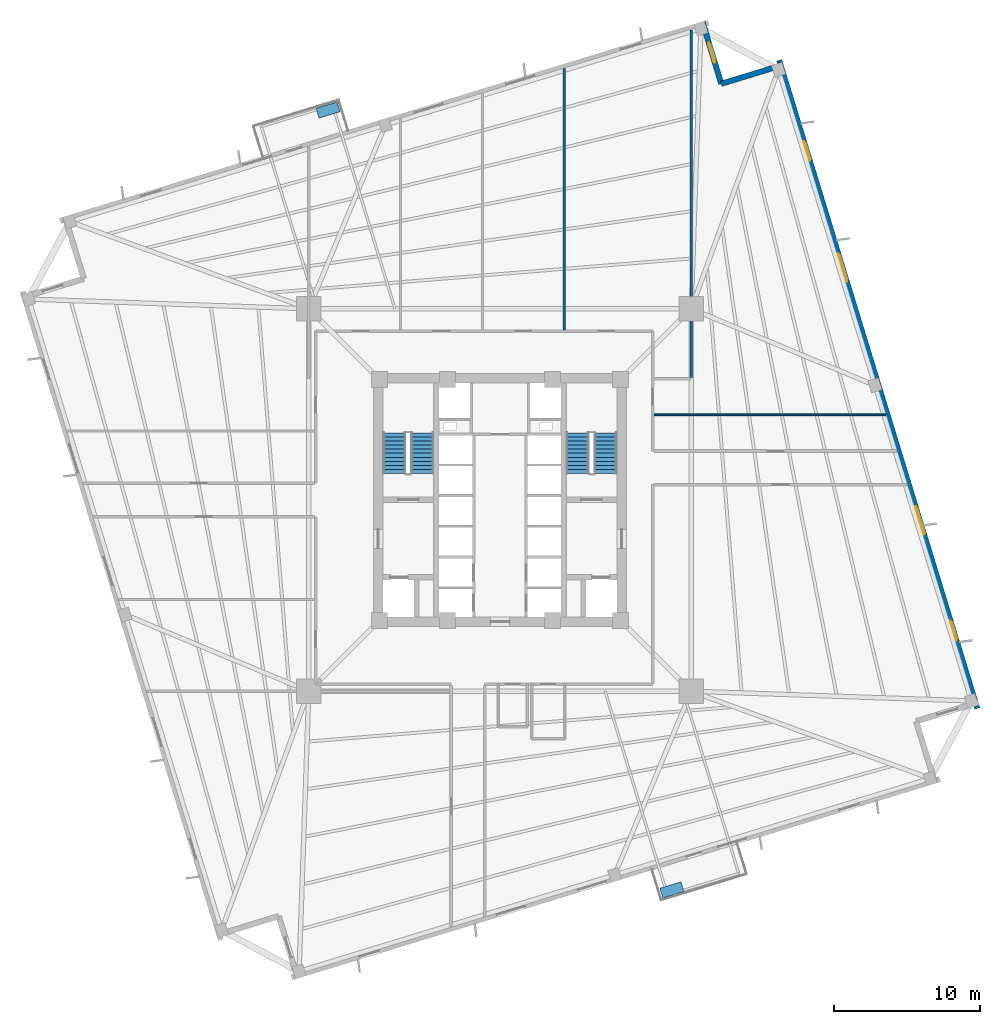
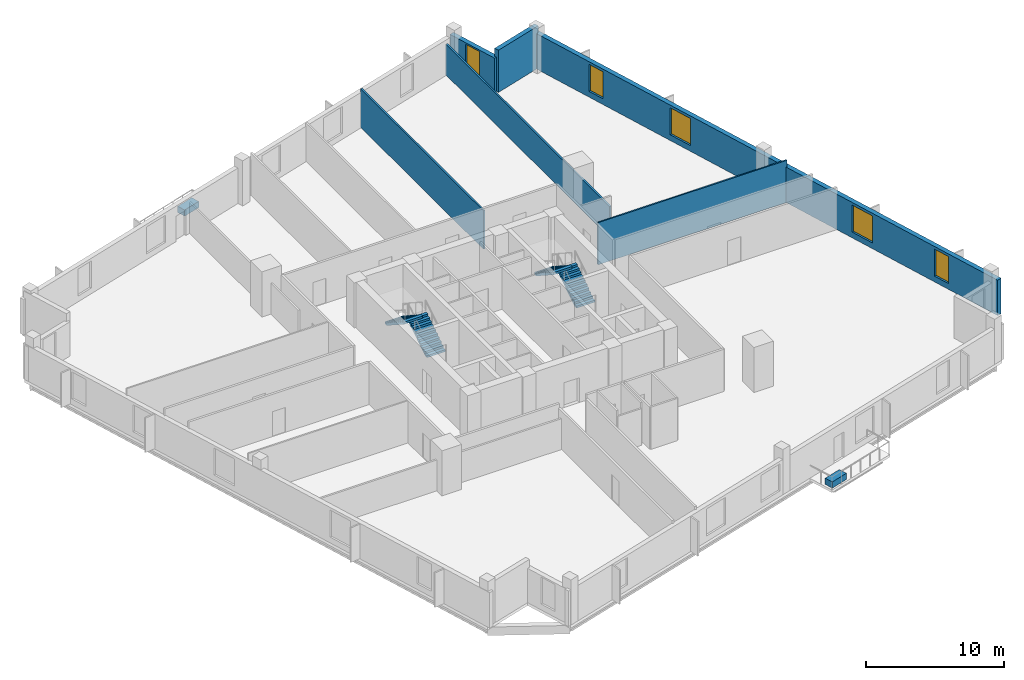
# One storey, part 5 of 8: 6 walls, 5 windows, 4 stair flights, 2 discrete accessories, 5 openings, 2 elements without a shape of their own.
"""IFC4 building model written with IfcOpenShell, lengths in metres."""

from ifc_helpers import new_model, si_unit, direction, frame, frame_2d, origin, origin_2d, place, context, subcontext, project, spatial, polyline, rectangle, outline, extrude, source, transform, mapped, material, layer, layer_set, type_object, element, fill, aggregate, save


model = new_model("IFC4")

# Units and contexts
model_context = context("Model", 3, precision=1e-05, world=origin(), true_north=direction((0.0, 1.0)))
body_context = subcontext(model_context, "Body", "Model", "MODEL_VIEW")
ifc_project = project(units=[si_unit("LENGTHUNIT", "METRE"), si_unit("AREAUNIT", "SQUARE_METRE"), si_unit("VOLUMEUNIT", "CUBIC_METRE"), si_unit("PLANEANGLEUNIT", "RADIAN"), si_unit("MASSUNIT", "GRAM", prefix="KILO"), si_unit("THERMODYNAMICTEMPERATUREUNIT", "KELVIN")], contexts=[model_context])

# Site, building, storey
site_placement = place(None, origin())
site = spatial("IfcSite", under=ifc_project, at=site_placement, CompositionType="ELEMENT")
building_placement = place(site_placement, origin())
building = spatial("IfcBuilding", under=site, at=building_placement, Name="Kosmvard Interchange Tower", CompositionType="ELEMENT")
storey_placement = place(building_placement, frame((0.0, 0.0, 87.199951171875)))
storey = spatial("IfcBuildingStorey", under=building, at=storey_placement, Name="L20", CompositionType="ELEMENT", Elevation=87.199951171875)

# Walls
ifc_material_1 = material(Name="Acoustic gypsum partition system")
ifc_layer_1 = layer(ifc_material_1, 0.14990234375, Name="Acoustic gypsum partition system")
ifc_layer_set_1 = layer_set([ifc_layer_1], Name="Acoustic gypsum partition system")
wall_type_1 = type_object("IfcWallType", Name="Acoustic Suite & Meeting Partition 150", PredefinedType="PARTITIONING", material=ifc_layer_set_1)
wall_1_placement = place(storey_placement, frame((4.39990234375, 11.64501953125, 0.0), z_axis=(0.0, 0.0, 1.0), x_axis=(0.0, 1.0, 0.0)))
element("IfcWall", 1, at=wall_1_placement, inside=storey, type_object=wall_type_1, Name="L20 Room Partition 05.1", PredefinedType="PARTITIONING", context=body_context, shape_type="SweptSolid", body=[
    extrude(rectangle(XDim=17.865966796875, YDim=0.14990234375, at=frame_2d((8.93310546875, 0.0))), origin(), (0.0, 0.0, 1.0), 3.41015625),
])
wall_2_placement = place(storey_placement, frame((13.0810546875, 8.375, 0.0), z_axis=(0.0, 0.0, 1.0), x_axis=(0.0, 1.0, 0.0)))
element("IfcWall", 2, at=wall_2_placement, inside=storey, type_object=wall_type_1, Name="L20 Room Partition 07.1", PredefinedType="PARTITIONING", context=body_context, shape_type="SweptSolid", body=[
    extrude(rectangle(XDim=23.7900390625, YDim=0.14990234375, at=frame_2d((11.89501953125, 0.0))), origin(), (0.0, 0.0, 1.0), 2.73193359375),
])

# Wall, openings, windows
ifc_material_2 = material(Name="Precast concrete C45/55", Category="concrete")
ifc_layer_2 = layer(ifc_material_2, 0.3798828125, Name="Precast concrete C45/55")
ifc_layer_set_2 = layer_set([ifc_layer_2], Name="Precast concrete C45/55")
wall_type_2 = type_object("IfcWallType", Name="Lower Tower Precast Pier Wall 380 C45/55", PredefinedType="STANDARD", material=ifc_layer_set_2)
wall_3_placement = place(storey_placement, frame((32.65771484375, -14.26513671875, 0.0), z_axis=(0.0, 0.0, 1.0), x_axis=(-0.292373127906, 0.956304320851, 0.0)))
wall_3 = element("IfcWall", 3, at=wall_3_placement, inside=storey, type_object=wall_type_2, Name="L20 Precast Facade Wall F-E", PredefinedType="STANDARD", context=body_context, shape_type="SweptSolid", body=[
    extrude(rectangle(XDim=46.380126953125, YDim=0.3798828125, at=frame_2d((23.18994140625, 0.0))), origin(), (0.0, 0.0, 1.0), 3.14013671875),
])
opening_1_placement = place(wall_3_placement, frame((4.865478515625, 0.0, 0.510009765625)))
opening_1 = element("IfcOpeningElement", 4, at=opening_1_placement, cuts=wall_3, Name="Opening L20-W06", PredefinedType="OPENING", context=body_context, shape_type="SweptSolid", body=[
    extrude(rectangle(XDim=1.39990234375, YDim=2.39990234375, at=frame_2d((0.699951171875, 1.199951171875))), frame((0.0, 0.199951171875, 0.0), z_axis=(0.0, -1.0, 0.0), x_axis=(1.0, 0.0, 0.0)), (0.0, 0.0, 1.0), 0.39990234375),
])
opening_2_placement = place(wall_3_placement, frame((12.4501953125, 0.0, 0.510009765625)))
opening_2 = element("IfcOpeningElement", 5, at=opening_2_placement, cuts=wall_3, Name="Opening L20-W07", PredefinedType="OPENING", context=body_context, shape_type="SweptSolid", body=[
    extrude(rectangle(XDim=2.0, YDim=2.39990234375, at=frame_2d((1.0, 1.199951171875))), frame((0.0, 0.199951171875, 0.0), z_axis=(0.0, -1.0, 0.0), x_axis=(1.0, 0.0, 0.0)), (0.0, 0.0, 1.0), 0.39990234375),
])
opening_3_placement = place(wall_3_placement, frame((30.538330078125, 0.0, 0.510009765625)))
opening_3 = element("IfcOpeningElement", 6, at=opening_3_placement, cuts=wall_3, Name="Opening L20-W08", PredefinedType="OPENING", context=body_context, shape_type="SweptSolid", body=[
    extrude(rectangle(XDim=2.0, YDim=2.39990234375, at=frame_2d((1.0, 1.199951171875))), frame((0.0, 0.199951171875, 0.0), z_axis=(0.0, -1.0, 0.0), x_axis=(1.0, 0.0, 0.0)), (0.0, 0.0, 1.0), 0.39990234375),
])
opening_4_placement = place(wall_3_placement, frame((39.186767578125, 0.0, 0.510009765625)))
opening_4 = element("IfcOpeningElement", 7, at=opening_4_placement, cuts=wall_3, Name="Opening L20-W09", PredefinedType="OPENING", context=body_context, shape_type="SweptSolid", body=[
    extrude(rectangle(XDim=1.39990234375, YDim=2.39990234375, at=frame_2d((0.699951171875, 1.199951171875))), frame((0.0, 0.199951171875, 0.0), z_axis=(0.0, -1.0, 0.0), x_axis=(1.0, 0.0, 0.0)), (0.0, 0.0, 1.0), 0.39990234375),
])
ifc_material_3 = material(Name="Low-E solar-control double glazing", Category="glass")
window_type_1 = type_object("IfcWindowType", Name="Notched Corner Feature Window 1400x2400", PartitioningType="SINGLE_PANEL", PredefinedType="WINDOW", material=ifc_material_3)
shared_shape_1 = source(origin(), body_context, "Body", "SweptSolid", [
    extrude(rectangle(XDim=1.39990234375, YDim=2.39990234375, at=frame_2d((0.699951171875, 1.199951171875))), frame((0.0, 0.030029296875, 0.0), z_axis=(0.0, -1.0, 0.0), x_axis=(1.0, 0.0, 0.0)), (0.0, 0.0, 1.0), 0.06005859375),
])
window_1_placement = place(opening_1_placement, origin())
window_1 = element("IfcWindow", 8, at=window_1_placement, inside=storey, type_object=window_type_1, Name="L20 Facade Punched Window 06", OverallHeight=2.39990234375, OverallWidth=1.39990234375, PartitioningType="SINGLE_PANEL", PredefinedType="WINDOW", context=body_context, shape_type="MappedRepresentation", body=[
    mapped(shared_shape_1, transform((0.0, 0.0, 0.0), scale=1.0)),
])
fill(opening_1, window_1)
window_2_placement = place(opening_4_placement, origin())
window_2 = element("IfcWindow", 9, at=window_2_placement, inside=storey, type_object=window_type_1, Name="L20 Facade Punched Window 09", OverallHeight=2.39990234375, OverallWidth=1.39990234375, PartitioningType="SINGLE_PANEL", PredefinedType="WINDOW", context=body_context, shape_type="MappedRepresentation", body=[
    mapped(shared_shape_1, transform((0.0, 0.0, 0.0), scale=1.0)),
])
fill(opening_4, window_2)
window_type_2 = type_object("IfcWindowType", Name="Zone 2 Office Punched Window 2000x2400", PartitioningType="SINGLE_PANEL", PredefinedType="WINDOW", material=ifc_material_3)
shared_shape_2 = source(origin(), body_context, "Body", "SweptSolid", [
    extrude(rectangle(XDim=2.0, YDim=2.39990234375, at=frame_2d((1.0, 1.199951171875))), frame((0.0, 0.030029296875, 0.0), z_axis=(0.0, -1.0, 0.0), x_axis=(1.0, 0.0, 0.0)), (0.0, 0.0, 1.0), 0.06005859375),
])
window_3_placement = place(opening_2_placement, origin())
window_3 = element("IfcWindow", 10, at=window_3_placement, inside=storey, type_object=window_type_2, Name="L20 Facade Punched Window 07", OverallHeight=2.39990234375, OverallWidth=2.0, PartitioningType="SINGLE_PANEL", PredefinedType="WINDOW", context=body_context, shape_type="MappedRepresentation", body=[
    mapped(shared_shape_2, transform((0.0, 0.0, 0.0), scale=1.0)),
])
fill(opening_2, window_3)
window_4_placement = place(opening_3_placement, origin())
window_4 = element("IfcWindow", 11, at=window_4_placement, inside=storey, type_object=window_type_2, Name="L20 Facade Punched Window 08", OverallHeight=2.39990234375, OverallWidth=2.0, PartitioningType="SINGLE_PANEL", PredefinedType="WINDOW", context=body_context, shape_type="MappedRepresentation", body=[
    mapped(shared_shape_2, transform((0.0, 0.0, 0.0), scale=1.0)),
])
fill(opening_3, window_4)

# Wall
wall_4_placement = place(storey_placement, frame((19.20849609375, 29.724853515625, 0.0), z_axis=(0.0, 0.0, 1.0), x_axis=(-0.956312764915, -0.292345507338, 0.0)))
element("IfcWall", 12, at=wall_4_placement, inside=storey, type_object=wall_type_2, Name="L20 Precast Facade Wall N-NE1", PredefinedType="STANDARD", context=body_context, shape_type="SweptSolid", body=[
    extrude(rectangle(XDim=4.249755859375, YDim=0.3798828125, at=frame_2d((2.125, 0.0))), origin(), (0.0, 0.0, 1.0), 3.739990234375),
])

# Wall, opening, window
wall_5_placement = place(storey_placement, frame((15.144287109375, 28.482421875, 0.0), z_axis=(0.0, 0.0, 1.0), x_axis=(-0.292373601522, 0.956304176051, 0.0)))
wall_5 = element("IfcWall", 13, at=wall_5_placement, inside=storey, type_object=wall_type_2, Name="L20 Precast Facade Wall N-NE2", PredefinedType="STANDARD", context=body_context, shape_type="SweptSolid", body=[
    extrude(rectangle(XDim=4.43994140625, YDim=0.3798828125, at=frame_2d((2.219970703125, 0.0))), origin(), (0.0, 0.0, 1.0), 3.0400390625),
])
opening_5_placement = place(wall_5_placement, frame((1.52001953125, 0.0, 0.510009765625)))
opening_5 = element("IfcOpeningElement", 14, at=opening_5_placement, cuts=wall_5, Name="Opening L20-W21", PredefinedType="OPENING", context=body_context, shape_type="SweptSolid", body=[
    extrude(rectangle(XDim=1.39990234375, YDim=2.39990234375, at=frame_2d((0.699951171875, 1.199951171875))), frame((0.0, 0.199951171875, 0.0), z_axis=(0.0, -1.0, 0.0), x_axis=(1.0, 0.0, 0.0)), (0.0, 0.0, 1.0), 0.39990234375),
])
window_5_placement = place(opening_5_placement, origin())
window_5 = element("IfcWindow", 15, at=window_5_placement, inside=storey, type_object=window_type_1, Name="L20 Corner Notch Window 21", OverallHeight=2.39990234375, OverallWidth=1.39990234375, PartitioningType="SINGLE_PANEL", PredefinedType="WINDOW", context=body_context, shape_type="MappedRepresentation", body=[
    mapped(shared_shape_1, transform((0.0, 0.0, 0.0), scale=1.0)),
])
fill(opening_5, window_5)

# Wall
ifc_material_4 = material(Name="Gypsum board partition system")
ifc_layer_3 = layer(ifc_material_4, 0.1201171875, Name="Gypsum board partition system")
ifc_layer_set_3 = layer_set([ifc_layer_3], Name="Gypsum board partition system")
wall_type_3 = type_object("IfcWallType", Name="Office Cellular Partition 120", PredefinedType="PARTITIONING", material=ifc_layer_set_3)
wall_6_placement = place(storey_placement, frame((10.544921875, 5.824951171875, 0.0), z_axis=(0.0, 0.0, 1.0), x_axis=(1.0, 0.0, 0.0)))
element("IfcWall", 16, at=wall_6_placement, inside=storey, type_object=wall_type_3, Name="L20 Room Partition 09.1", PredefinedType="PARTITIONING", context=body_context, shape_type="SweptSolid", body=[
    extrude(rectangle(XDim=15.83984375, YDim=0.1201171875, at=frame_2d((7.919921875, 0.0))), origin(), (0.0, 0.0, 1.0), 3.739990234375),
])

# Stair, stair flights
ifc_material_5 = material(Name="Concrete C50/60", Category="concrete")
stair_type = type_object("IfcStairType", Name="Dog-Leg Core Exit Stair H4000 C50/60", PredefinedType="HALF_TURN_STAIR", material=ifc_material_5)
stair_1_placement = place(storey_placement, origin())
stair_1 = element("IfcStair", 17, at=stair_1_placement, inside=storey, type_object=stair_type, Name="L20 Protected Exit Stair ST-1", PredefinedType="HALF_TURN_STAIR")
stair_flight_type = type_object("IfcStairFlightType", Name="Core Stair Flight W1550 H4000 C50/60", PredefinedType="STRAIGHT", material=ifc_material_5)
shared_shape_3 = source(origin(), body_context, "Body", "SweptSolid", [
    extrude(outline(polyline([(0.0, 0.0), (0.0, 0.181884765625), (0.280029296875, 0.181884765625), (0.280029296875, 0.363525390625), (0.56005859375, 0.363525390625), (0.56005859375, 0.54541015625), (0.840087890625, 0.54541015625), (0.840087890625, 0.727294921875), (1.1201171875, 0.727294921875), (1.1201171875, 0.9091796875), (1.39990234375, 0.9091796875), (1.39990234375, 1.0908203125), (1.679931640625, 1.0908203125), (1.679931640625, 1.272705078125), (1.9599609375, 1.272705078125), (1.9599609375, 1.45458984375), (2.239990234375, 1.45458984375), (2.239990234375, 1.636474609375), (2.52001953125, 1.636474609375), (2.52001953125, 1.818115234375), (2.800048828125, 1.818115234375), (2.800048828125, 2.0), (2.800048828125, 1.62744140625), (0.293701171875, 0.0), (0.0, 0.0)])), frame((0.0, 0.77490234375, 0.0), z_axis=(0.0, -1.0, 0.0), x_axis=(1.0, 0.0, 0.0)), (0.0, 0.0, 1.0), 1.550048828125),
])
stair_flight_1_placement = place(storey_placement, frame((-5.31494140625, 1.800048828125, 0.0), z_axis=(0.0, 0.0, 1.0), x_axis=(0.0, 1.0, 0.0)))
stair_flight_1 = element("IfcStairFlight", 18, at=stair_flight_1_placement, type_object=stair_flight_type, Name="ST-1 flight 1", NumberOfRisers=11, NumberOfTreads=10, PredefinedType="STRAIGHT", RiserHeight=0.181818182, TreadLength=0.28, context=body_context, shape_type="MappedRepresentation", body=[
    mapped(shared_shape_3, transform((0.0, 0.0, 0.0), scale=1.0)),
])
stair_flight_2_placement = place(storey_placement, frame((-7.22509765625, 4.60009765625, 2.0), z_axis=(0.0, 0.0, 1.0), x_axis=(0.0, -1.0, 0.0)))
stair_flight_2 = element("IfcStairFlight", 19, at=stair_flight_2_placement, type_object=stair_flight_type, Name="ST-1 flight 2", NumberOfRisers=11, NumberOfTreads=10, PredefinedType="STRAIGHT", RiserHeight=0.181818182, TreadLength=0.28, context=body_context, shape_type="MappedRepresentation", body=[
    mapped(shared_shape_3, transform((0.0, 0.0, 0.0), scale=1.0)),
])
aggregate(stair_1, [stair_flight_1, stair_flight_2])

stair_2_placement = place(storey_placement, origin())
stair_2 = element("IfcStair", 20, at=stair_2_placement, inside=storey, type_object=stair_type, Name="L20 Protected Exit Stair ST-2", PredefinedType="HALF_TURN_STAIR")
stair_flight_3_placement = place(storey_placement, frame((7.22509765625, 1.800048828125, 0.0), z_axis=(0.0, 0.0, 1.0), x_axis=(0.0, 1.0, 0.0)))
stair_flight_3 = element("IfcStairFlight", 21, at=stair_flight_3_placement, type_object=stair_flight_type, Name="ST-2 flight 1", NumberOfRisers=11, NumberOfTreads=10, PredefinedType="STRAIGHT", RiserHeight=0.181818182, TreadLength=0.28, context=body_context, shape_type="MappedRepresentation", body=[
    mapped(shared_shape_3, transform((0.0, 0.0, 0.0), scale=1.0)),
])
stair_flight_4_placement = place(storey_placement, frame((5.31494140625, 4.60009765625, 2.0), z_axis=(0.0, 0.0, 1.0), x_axis=(0.0, -1.0, 0.0)))
stair_flight_4 = element("IfcStairFlight", 22, at=stair_flight_4_placement, type_object=stair_flight_type, Name="ST-2 flight 2", NumberOfRisers=11, NumberOfTreads=10, PredefinedType="STRAIGHT", RiserHeight=0.181818182, TreadLength=0.28, context=body_context, shape_type="MappedRepresentation", body=[
    mapped(shared_shape_3, transform((0.0, 0.0, 0.0), scale=1.0)),
])
aggregate(stair_2, [stair_flight_3, stair_flight_4])

# Discrete accessories
ifc_material_6 = material(Name="Terracotta precast planter concrete C45/55", Category="masonry")
discrete_accessory_type = type_object("IfcDiscreteAccessoryType", Name="Precast Tree-Balcony & Terrace Planter Box", PredefinedType="USERDEFINED", material=ifc_material_6)
shared_shape_4 = source(origin(), body_context, "Body", "SweptSolid", [
    extrude(rectangle(XDim=1.5, YDim=0.699951171875, at=origin_2d()), origin(), (0.0, 0.0, 1.0), 0.550048828125),
])
for number, where, z_axis, x_axis, name in (
    (23, (11.763427734375, -26.67626953125, 0.0), (0.0, 0.0, 1.0), (0.956304755963, 0.292371704723, 0.0), "L20 Balcony Tree Planter BAL-L20-SW"),
    (24, (-11.763427734375, 26.67626953125, 0.0), (0.0, 0.0, 1.0), (0.956304755963, 0.292371704723, 0.0), "L20 Balcony Tree Planter BAL-L20-NE"),
):
    element("IfcDiscreteAccessory", number, at=place(storey_placement, frame(where, z_axis=z_axis, x_axis=x_axis)), inside=storey, type_object=discrete_accessory_type, Name=name, ObjectType="PLANTER", PredefinedType="USERDEFINED", context=body_context, shape_type="MappedRepresentation", body=[
        mapped(shared_shape_4, transform((0.0, 0.0, 0.0), scale=1.0)),
    ])

save(model, "model.ifc")
